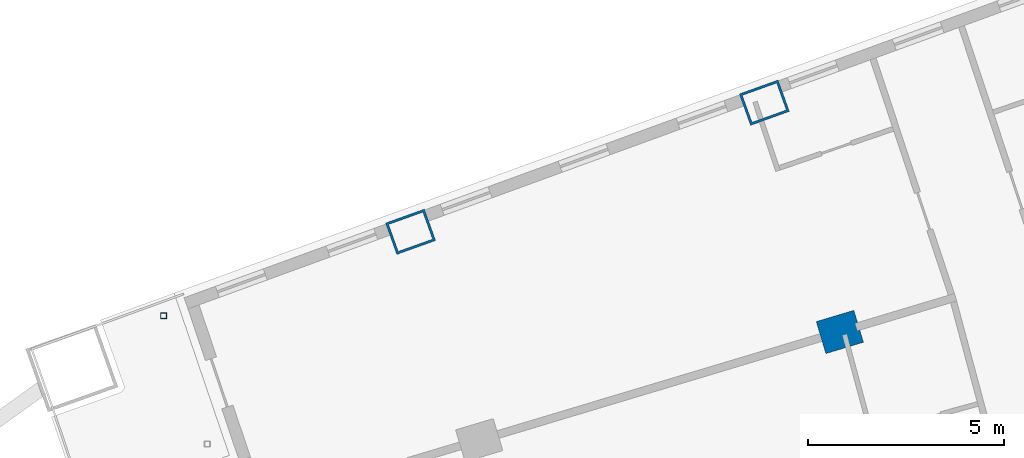
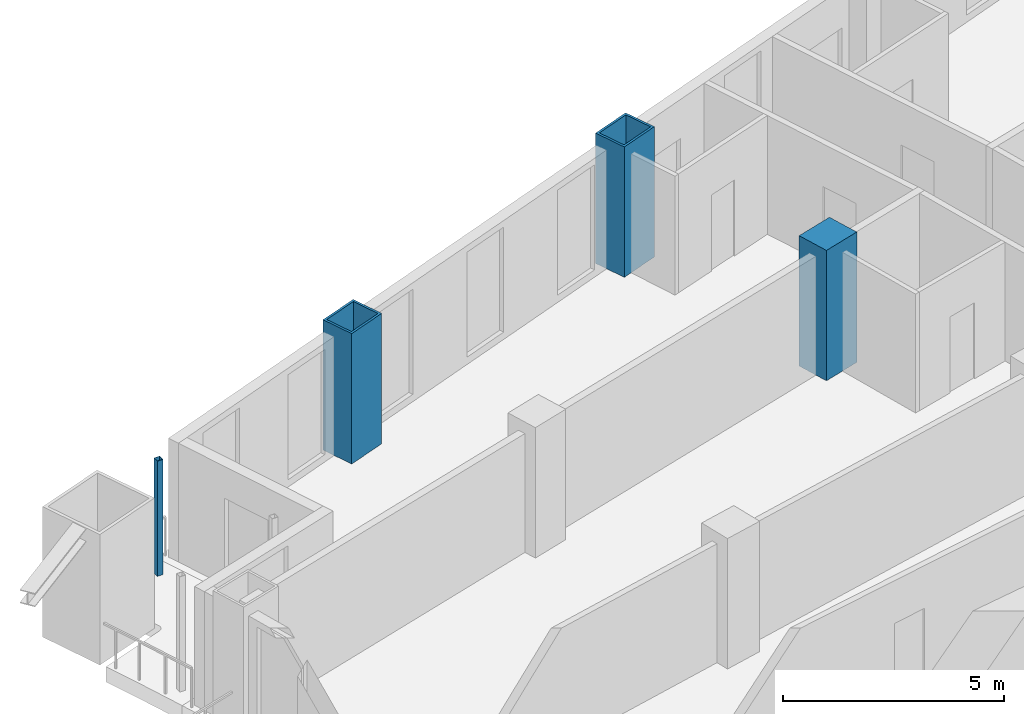
# One storey, part 9 of 24: 4 columns.
"""IFC4 building model written with IfcOpenShell, lengths in metres."""

from ifc_helpers import new_model, si_unit, direction, frame, origin, origin_2d, place, context, subcontext, project, spatial, rectangle, hollow_rectangle, extrude, material, material_profile, profile_set, type_object, element, save


model = new_model("IFC4")

# Units and contexts
model_context = context("Model", 3, precision=1e-05, world=origin(), true_north=direction((0.0, 1.0)))
body_context = subcontext(model_context, "Body", "Model", "MODEL_VIEW")
ifc_project = project(units=[si_unit("LENGTHUNIT", "METRE"), si_unit("AREAUNIT", "SQUARE_METRE"), si_unit("VOLUMEUNIT", "CUBIC_METRE"), si_unit("PLANEANGLEUNIT", "RADIAN"), si_unit("MASSUNIT", "GRAM", prefix="KILO")], contexts=[model_context])

# Site, building, storey
site_placement = place(None, origin())
site = spatial("IfcSite", under=ifc_project, at=site_placement, CompositionType="ELEMENT")
building_placement = place(site_placement, origin())
building = spatial("IfcBuilding", under=site, at=building_placement, Name="Alderwake Tower", CompositionType="ELEMENT")
storey_placement = place(building_placement, frame((0.0, 0.0, 96.800048828125)))
storey = spatial("IfcBuildingStorey", under=building, at=storey_placement, Name="L23", CompositionType="ELEMENT", Elevation=96.800048828125)

# Columns
ifc_material_1 = material(Name="Steel ASTM A572 Grade 50 concrete filled C70/85", Category="concrete")
ifc_material_profile_1 = material_profile(ifc_material_1, hollow_rectangle(XDim=0.85009765625, YDim=1.050048828125, WallThickness=0.06005859375, at=origin_2d()), Name="BOX 1050X850X60")
ifc_profile_set_1 = profile_set([ifc_material_profile_1], Name="Steel ASTM A572 Grade 50 concrete filled C70/85")
column_type_1 = type_object("IfcColumnType", Name="End column Z2", PredefinedType="COLUMN", material=ifc_profile_set_1)
for number, where, z_axis, x_axis, name in (
    (1, (19.965576171875, 96.8515625, 0.0), (0.0, 0.0, 1.0), (-0.337584879279, 0.9412950915, 0.0), "Column R13-C1"),
    (2, (28.983642578125, 100.143310546875, 0.0), (0.0, 0.0, 1.0), (-0.338026774049, 0.941136493834, 0.0), "Column R13-C2"),
):
    element("IfcColumn", number, at=place(storey_placement, frame(where, z_axis=z_axis, x_axis=x_axis)), inside=storey, type_object=column_type_1, Name=name, PredefinedType="COLUMN", context=body_context, shape_type="SweptSolid", body=[
        extrude(hollow_rectangle(XDim=0.85009765625, YDim=1.050048828125, WallThickness=0.06005859375, at=origin_2d()), origin(), (0.0, 0.0, 1.0), 3.599853515625),
    ])
ifc_material_2 = material(Name="Concrete C70/85", Category="concrete")
ifc_material_profile_2 = material_profile(ifc_material_2, rectangle(XDim=0.85009765625, YDim=1.0, at=origin_2d()), Name="RC 1000X850")
ifc_profile_set_2 = profile_set([ifc_material_profile_2], Name="Concrete C70/85")
column_type_2 = type_object("IfcColumnType", Name="Interior column Z2", PredefinedType="COLUMN", material=ifc_profile_set_2)
column_1_placement = place(storey_placement, frame((30.9091796875, 94.298095703125, 0.0), z_axis=(0.0, 0.0, 1.0), x_axis=(-0.287549418125, 0.957765802342, 0.0)))
element("IfcColumn", 3, at=column_1_placement, inside=storey, type_object=column_type_2, Name="Column R12-C2", PredefinedType="COLUMN", context=body_context, shape_type="SweptSolid", body=[
    extrude(rectangle(XDim=0.85009765625, YDim=1.0, at=origin_2d()), origin(), (0.0, 0.0, 1.0), 3.599853515625),
])
ifc_material_3 = material(Name="Steel ASTM A500 Grade C", Category="steel")
ifc_material_profile_3 = material_profile(ifc_material_3, hollow_rectangle(XDim=0.15234375, YDim=0.15234375, WallThickness=0.0087890625, at=origin_2d()), Name="HSS6X6X3/8")
ifc_profile_set_3 = profile_set([ifc_material_profile_3], Name="Steel ASTM A500 Grade C")
column_type_3 = type_object("IfcColumnType", Name="Light post HSS6X6X3/8", PredefinedType="COLUMN", material=ifc_profile_set_3)
column_2_placement = place(storey_placement, frame((13.66796875, 94.71240234375, 0.0), z_axis=(0.0, 0.0, 1.0), x_axis=(1.0, 0.0, 0.0)))
element("IfcColumn", 4, at=column_2_placement, inside=storey, type_object=column_type_3, Name="Terrace post RN2", PredefinedType="COLUMN", context=body_context, shape_type="SweptSolid", body=[
    extrude(hollow_rectangle(XDim=0.15234375, YDim=0.15234375, WallThickness=0.0087890625, at=origin_2d()), origin(), (0.0, 0.0, 1.0), 3.179931640625),
])

save(model, "model.ifc")
